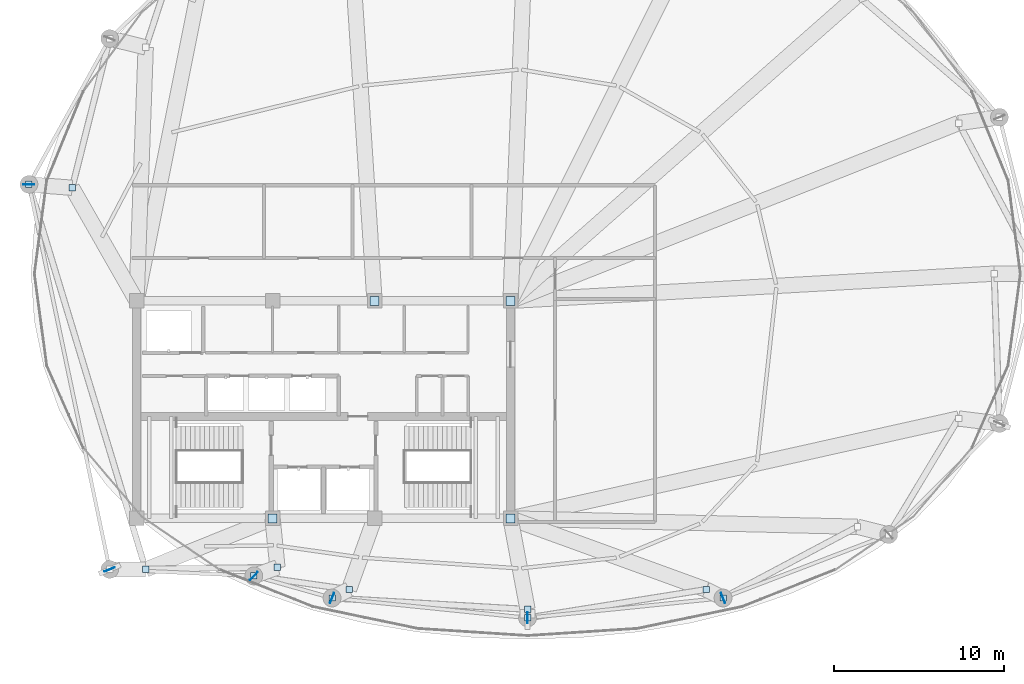
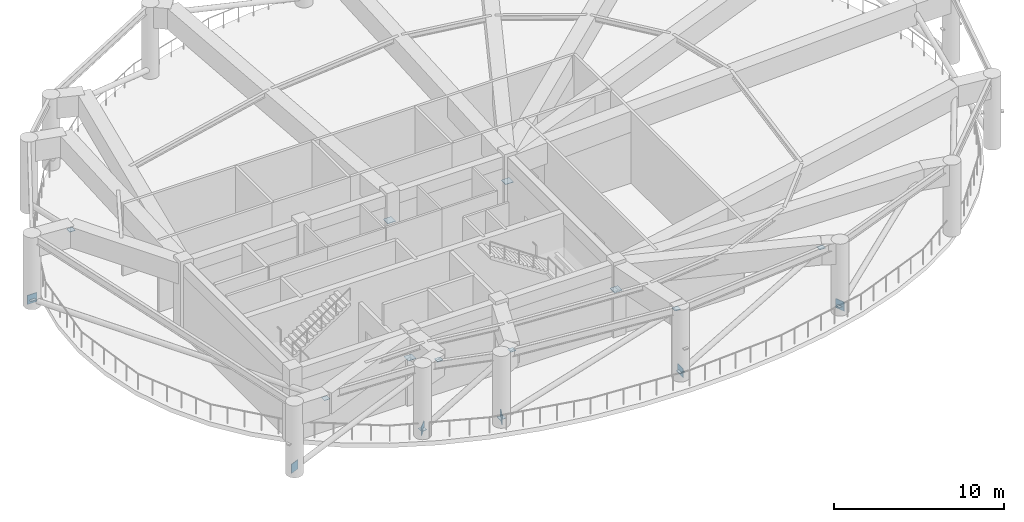
# One storey, part 3 of 9: 21 plates.
"""IFC4 building model written with IfcOpenShell, lengths in metres."""

from ifc_helpers import new_model, si_unit, direction, frame, origin, origin_2d, place, context, subcontext, project, spatial, rectangle, extrude, material, layer, layer_set, type_object, element, save


model = new_model("IFC4")

# Units and contexts
model_context = context("Model", 3, precision=1e-05, world=origin(), true_north=direction((0.0, 1.0)))
body_context = subcontext(model_context, "Body", "Model", "MODEL_VIEW")
ifc_project = project(units=[si_unit("LENGTHUNIT", "METRE"), si_unit("AREAUNIT", "SQUARE_METRE"), si_unit("VOLUMEUNIT", "CUBIC_METRE"), si_unit("PLANEANGLEUNIT", "RADIAN"), si_unit("MASSUNIT", "GRAM", prefix="KILO")], contexts=[model_context])

# Site, building, storey
site_placement = place(None, origin())
site = spatial("IfcSite", under=ifc_project, at=site_placement, CompositionType="ELEMENT")
building_placement = place(site_placement, origin())
building = spatial("IfcBuilding", under=site, at=building_placement, Name="Kazevale Care Tower and Concert Hall", CompositionType="ELEMENT")
storey_placement = place(building_placement, frame((0.0, 0.0, 253.199951171875)))
storey = spatial("IfcBuildingStorey", under=building, at=storey_placement, Name="L67", CompositionType="ELEMENT", Elevation=253.199951171875)

# Plates
ifc_material = material(Name="Steel ASTM A572 Gr 50", Category="steel")
ifc_layer_1 = layer(ifc_material, 0.02490234375)
ifc_layer_set_1 = layer_set([ifc_layer_1], Name="Steel ASTM A572 Gr 50")
plate_type_1 = type_object("IfcPlateType", Name="Hollow Section End Cap Plate 25mm", PredefinedType="USERDEFINED", material=ifc_layer_set_1)
for number, where, z_axis, x_axis, name in (
    (1, (18.2099609375, 43.050048828125, 4.59765625), (0.0, 0.0, 1.0), (1.0, 0.0, 0.0), "brace:L67:belt:08:cap1"),
    (2, (15.669921875, 43.25, 0.3876953125), (0.0, 0.0, 1.0), (1.0, 0.0, 0.0), "brace:L67:belt:09:cap0"),
    (3, (22.5400390625, 20.60009765625, 4.59765625), (0.0, 0.0, 1.0), (1.0, 0.0, 0.0), "brace:L67:belt:09:cap1"),
    (4, (30.2900390625, 20.719970703125, 4.59765625), (0.0, 0.0, 1.0), (1.0, 0.0, 0.0), "brace:L67:belt:10:cap1"),
    (5, (28.89990234375, 20.219970703125, 0.3876953125), (0.0, 0.0, 1.0), (1.0, 0.0, 0.0), "brace:L67:belt:11:cap0"),
    (6, (34.5, 19.419921875, 4.59765625), (0.0, 0.0, 1.0), (1.0, 0.0, 0.0), "brace:L67:belt:11:cap1"),
    (7, (33.5, 18.919921875, 0.3876953125), (0.0, 0.0, 1.0), (1.0, 0.0, 0.0), "brace:L67:belt:12:cap0"),
    (8, (45.0, 18.25, 4.59765625), (0.0, 0.0, 1.0), (1.0, 0.0, 0.0), "brace:L67:belt:12:cap1"),
    (9, (45.0, 17.75, 0.3876953125), (0.0, 0.0, 1.0), (1.0, 0.0, 0.0), "brace:L67:belt:13:cap0"),
    (10, (55.5, 19.419921875, 4.59765625), (0.0, 0.0, 1.0), (1.0, 0.0, 0.0), "brace:L67:belt:13:cap1"),
    (11, (56.5, 18.919921875, 0.3876953125), (0.0, 0.0, 1.0), (1.0, 0.0, 0.0), "brace:L67:belt:14:cap0"),
):
    element("IfcPlate", number, at=place(storey_placement, frame(where, z_axis=z_axis, x_axis=x_axis)), inside=storey, type_object=plate_type_1, Name=name, ObjectType="END_CAP_PLATE", PredefinedType="USERDEFINED", context=body_context, shape_type="SweptSolid", body=[
        extrude(rectangle(XDim=0.3798828125, YDim=0.3798828125, at=origin_2d()), origin(), (0.0, 0.0, 1.0), 0.02490234375),
    ])
for number, where, z_axis, x_axis, name in (
    (12, (44.0, 36.39990234375, 3.087646484375), (0.0, 0.0, 1.0), (1.0, 0.0, 0.0), "brace:L67:outrig:1:cap0"),
    (13, (36.0, 36.39990234375, 3.087646484375), (0.0, 0.0, 1.0), (1.0, 0.0, 0.0), "brace:L67:outrig:2:cap0"),
    (14, (30.0, 23.60009765625, 3.087646484375), (0.0, 0.0, 1.0), (1.0, 0.0, 0.0), "brace:L67:outrig:3:cap0"),
    (15, (44.0, 23.60009765625, 3.087646484375), (0.0, 0.0, 1.0), (1.0, 0.0, 0.0), "brace:L67:outrig:4:cap0"),
):
    element("IfcPlate", number, at=place(storey_placement, frame(where, z_axis=z_axis, x_axis=x_axis)), inside=storey, type_object=plate_type_1, Name=name, ObjectType="END_CAP_PLATE", PredefinedType="USERDEFINED", context=body_context, shape_type="SweptSolid", body=[
        extrude(rectangle(XDim=0.5400390625, YDim=0.5400390625, at=origin_2d()), origin(), (0.0, 0.0, 1.0), 0.02490234375),
    ])
ifc_layer_2 = layer(ifc_material, 0.0400390625)
ifc_layer_set_2 = layer_set([ifc_layer_2], Name="Steel ASTM A572 Gr 50")
plate_type_2 = type_object("IfcPlateType", Name="Outrigger & Truss Gusset Plate 40mm", PredefinedType="USERDEFINED", material=ifc_layer_set_2)
for number, where, z_axis, x_axis, name in (
    (16, (15.669921875, 43.25, 0.125), (0.0, 0.0, 1.0), (-1.0, 0.0, 0.0), "plate:L67:gusset:09"),
    (17, (20.419921875, 20.60009765625, 0.125), (0.0, 0.0, 1.0), (-0.923879532511, -0.382683432365, 0.0), "plate:L67:gusset:10"),
    (18, (28.89990234375, 20.219970703125, 0.125), (0.0, 0.0, 1.0), (-0.707106781187, -0.707106781187, 0.0), "plate:L67:gusset:11"),
    (19, (33.5, 18.919921875, 0.125), (0.0, 0.0, 1.0), (-0.382683432365, -0.923879532511, 0.0), "plate:L67:gusset:12"),
    (20, (45.0, 17.75, 0.125), (0.0, 0.0, 1.0), (0.0, -1.0, 0.0), "plate:L67:gusset:13"),
    (21, (56.5, 18.919921875, 0.125), (0.0, 0.0, 1.0), (0.382683432365, -0.923879532511, 0.0), "plate:L67:gusset:14"),
):
    element("IfcPlate", number, at=place(storey_placement, frame(where, z_axis=z_axis, x_axis=x_axis)), inside=storey, type_object=plate_type_2, Name=name, ObjectType="GUSSET_PLATE", PredefinedType="USERDEFINED", context=body_context, shape_type="SweptSolid", body=[
        extrude(rectangle(XDim=0.64990234375, YDim=0.0400390625, at=origin_2d()), origin(), (0.0, 0.0, 1.0), 0.64990234375),
    ])

save(model, "model.ifc")
